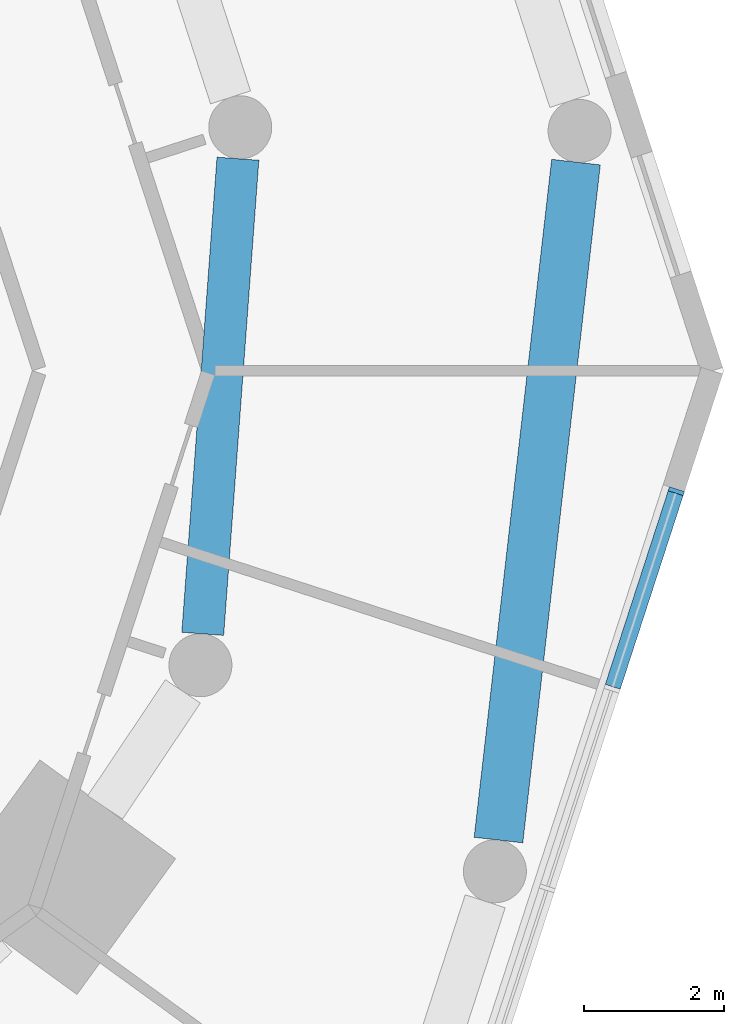
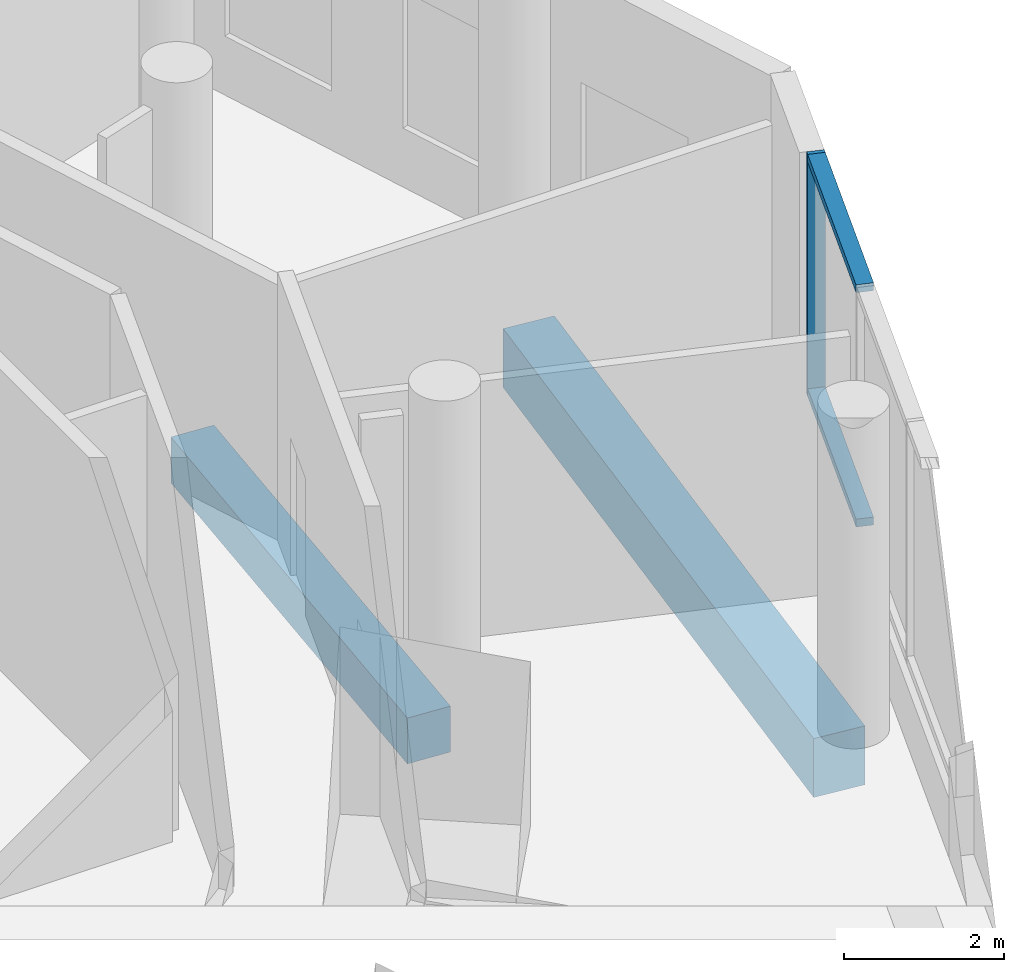
# One storey, part 5 of 15: 3 members, 2 beams, 1 element without a shape of its own.
"""IFC4 building model written with IfcOpenShell, lengths in metres."""

from ifc_helpers import new_model, si_unit, direction, frame, origin, origin_2d, place, context, subcontext, project, spatial, rectangle, extrude, material, material_profile, profile_set, type_object, element, aggregate, save


model = new_model("IFC4")

# Units and contexts
model_context = context("Model", 3, precision=1e-05, world=origin(), true_north=direction((0.0, 1.0)))
body_context = subcontext(model_context, "Body", "Model", "MODEL_VIEW")
ifc_project = project(units=[si_unit("LENGTHUNIT", "METRE"), si_unit("AREAUNIT", "SQUARE_METRE"), si_unit("VOLUMEUNIT", "CUBIC_METRE"), si_unit("PLANEANGLEUNIT", "RADIAN"), si_unit("MASSUNIT", "GRAM", prefix="KILO")], contexts=[model_context])

# Site, building, storey
site_placement = place(None, origin())
site = spatial("IfcSite", under=ifc_project, at=site_placement, CompositionType="ELEMENT")
building_placement = place(site_placement, origin())
building = spatial("IfcBuilding", under=site, at=building_placement, Name="White Candle Pilgrim Tower", CompositionType="ELEMENT")
storey_placement = place(building_placement, frame((0.0, 0.0, 34.0)))
storey = spatial("IfcBuildingStorey", under=building, at=storey_placement, Name="L05", CompositionType="ELEMENT", Elevation=34.0)

# Curtain wall, members
ifc_material_1 = material(Name="Aluminium and glass", Category="aluminium")
curtain_wall_type = type_object("IfcCurtainWallType", Name="Curtain wall CW3 refectory and meeting glazing", PredefinedType="NOTDEFINED", material=ifc_material_1)
curtain_wall_placement = place(storey_placement, origin())
curtain_wall = element("IfcCurtainWall", 1, at=curtain_wall_placement, inside=storey, type_object=curtain_wall_type, Name="Curtain wall CW3 L05 E chamfer", PredefinedType="NOTDEFINED")
ifc_material_2 = material(Name="Aluminium", Category="aluminium")
ifc_material_profile_1 = material_profile(ifc_material_2, rectangle(XDim=0.22509765625, YDim=0.06005859375, at=origin_2d()), Name="CW3 mullion 60x225")
ifc_profile_set_1 = profile_set([ifc_material_profile_1], Name="Aluminium")
member_type_1 = type_object("IfcMemberType", Name="CW3 mullion 60x225", PredefinedType="MULLION", material=ifc_profile_set_1)
member_1_placement = place(storey_placement, frame((100.41357421875, 58.818115234375, 0.89990234375), z_axis=(0.0, 0.0, 1.0), x_axis=(-0.951056528263, 0.309016957542, 0.0)))
member_1 = element("IfcMember", 2, at=member_1_placement, type_object=member_type_1, Name="CW3 mullion 4", PredefinedType="MULLION", context=body_context, shape_type="SweptSolid", body=[
    extrude(rectangle(XDim=0.22509765625, YDim=0.06005859375, at=origin_2d()), origin(), (0.0, 0.0, 1.0), 3.7001953125),
])
ifc_material_profile_2 = material_profile(ifc_material_2, rectangle(XDim=0.22509765625, YDim=0.1201171875, at=origin_2d()), Name="CW3 transom 120x225")
ifc_profile_set_2 = profile_set([ifc_material_profile_2], Name="Aluminium")
member_type_2 = type_object("IfcMemberType", Name="CW3 transom 120x225", PredefinedType="USERDEFINED", material=ifc_profile_set_2)
member_2_placement = place(storey_placement, frame((99.505126953125, 56.02197265625, 0.9599609375), z_axis=(0.308995011864, 0.951063658565, 0.0), x_axis=(-0.951063658565, 0.308995011864, 0.0)))
member_2 = element("IfcMember", 3, at=member_2_placement, type_object=member_type_2, Name="CW3 transom 3.1", ObjectType="TRANSOM", PredefinedType="USERDEFINED", context=body_context, shape_type="SweptSolid", body=[
    extrude(rectangle(XDim=0.22509765625, YDim=0.1201171875, at=origin_2d()), origin(), (0.0, 0.0, 1.0), 2.909912109375),
])
member_3_placement = place(storey_placement, frame((99.505126953125, 56.02197265625, 4.5400390625), z_axis=(0.308995011864, 0.951063658565, 0.0), x_axis=(-0.951063658565, 0.308995011864, 0.0)))
member_3 = element("IfcMember", 4, at=member_3_placement, type_object=member_type_2, Name="CW3 transom 3.2", ObjectType="TRANSOM", PredefinedType="USERDEFINED", context=body_context, shape_type="SweptSolid", body=[
    extrude(rectangle(XDim=0.22509765625, YDim=0.1201171875, at=origin_2d()), origin(), (0.0, 0.0, 1.0), 2.909912109375),
])
aggregate(curtain_wall, [member_1, member_2, member_3])

# Beams
ifc_material_3 = material(Name="Concrete C50/60", Category="concrete")
ifc_material_profile_3 = material_profile(ifc_material_3, rectangle(XDim=0.60009765625, YDim=0.699951171875, at=origin_2d()), Name="RC-BM 600x700")
ifc_profile_set_3 = profile_set([ifc_material_profile_3], Name="Concrete C50/60")
beam_type_1 = type_object("IfcBeamType", Name="Spandrel beam RC-BM 600x700 C50/60", PredefinedType="BEAM", material=ifc_profile_set_3)
beam_1_placement = place(storey_placement, frame((93.643310546875, 56.77880859375, -0.699951171875), z_axis=(0.073911295307, 0.997264819607, 0.0), x_axis=(-0.997264819607, 0.073911295307, 0.0)))
element("IfcBeam", 5, at=beam_1_placement, inside=storey, type_object=beam_type_1, Name="L05 spandrel beam T08", PredefinedType="BEAM", context=body_context, shape_type="SweptSolid", body=[
    extrude(rectangle(XDim=0.60009765625, YDim=0.699951171875, at=origin_2d()), origin(), (0.0, 0.0, 1.0), 6.81103515625),
])
ifc_material_profile_4 = material_profile(ifc_material_3, rectangle(XDim=0.699951171875, YDim=0.89990234375, at=origin_2d()), Name="RC-BM 700x900")
ifc_profile_set_4 = profile_set([ifc_material_profile_4], Name="Concrete C50/60")
beam_type_2 = type_object("IfcBeamType", Name="Spandrel beam RC-BM 700x900 C50/60", PredefinedType="BEAM", material=ifc_profile_set_4)
beam_2_placement = place(storey_placement, frame((97.87109375, 53.830810546875, -0.800048828125), z_axis=(0.113579061518, 0.993528961221, 0.0), x_axis=(-0.993528961221, 0.113579061518, 0.0)))
element("IfcBeam", 6, at=beam_2_placement, inside=storey, type_object=beam_type_2, Name="L05 spandrel beam C15", PredefinedType="BEAM", context=body_context, shape_type="SweptSolid", body=[
    extrude(rectangle(XDim=0.699951171875, YDim=0.89990234375, at=origin_2d()), origin(), (0.0, 0.0, 1.0), 9.754638671875),
])

save(model, "model.ifc")
